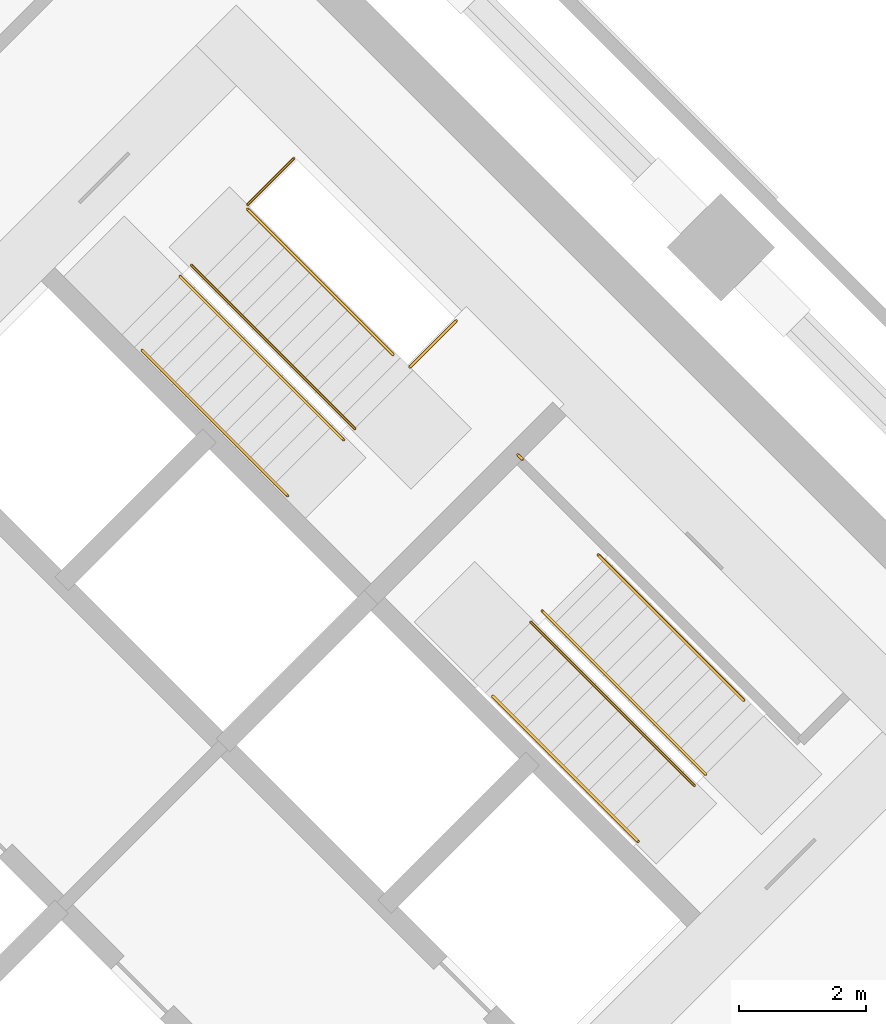
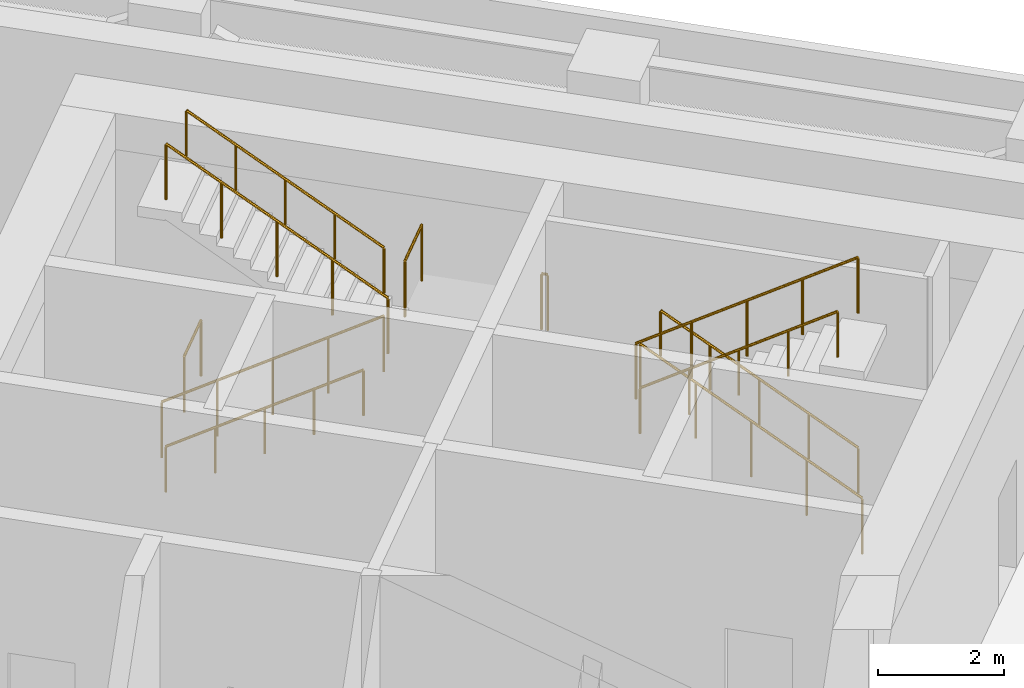
# One storey, part 8 of 8: 11 railings.
"""IFC4 building model written with IfcOpenShell, lengths in metres."""

from ifc_helpers import new_model, si_unit, direction, frame, origin, origin_2d, place, context, subcontext, project, spatial, circle, extrude, material, type_object, element, save


model = new_model("IFC4")

# Units and contexts
model_context = context("Model", 3, precision=1e-05, world=origin(), true_north=direction((0.0, 1.0)))
body_context = subcontext(model_context, "Body", "Model", "MODEL_VIEW")
ifc_project = project(units=[si_unit("LENGTHUNIT", "METRE"), si_unit("AREAUNIT", "SQUARE_METRE"), si_unit("VOLUMEUNIT", "CUBIC_METRE"), si_unit("PLANEANGLEUNIT", "RADIAN"), si_unit("MASSUNIT", "GRAM", prefix="KILO")], contexts=[model_context])

# Site, building, storey
site_placement = place(None, origin())
site = spatial("IfcSite", under=ifc_project, at=site_placement, CompositionType="ELEMENT")
building_placement = place(site_placement, origin())
building = spatial("IfcBuilding", under=site, at=building_placement, Name="Windrow Commons", CompositionType="ELEMENT")
storey_placement = place(building_placement, frame((0.0, 0.0, 72.0)))
storey = spatial("IfcBuildingStorey", under=building, at=storey_placement, Name="L19", CompositionType="ELEMENT", Elevation=72.0)

# Railings
ifc_material_1 = material(Name="Steel S355", Category="steel")
railing_type_1 = type_object("IfcRailingType", Name="Core stair guard 1100", PredefinedType="GUARDRAIL", material=ifc_material_1)
railing_1_placement = place(storey_placement, frame((85.9529, 56.2669, 0.1786)))
element("IfcRailing", 1, at=railing_1_placement, inside=storey, type_object=railing_type_1, Name="L19 ST-B1 stair guard 1", PredefinedType="GUARDRAIL", context=body_context, shape_type="SweptSolid", body=[
    extrude(circle(Radius=0.024, at=origin_2d()), frame((0.0, 0.0, 1.076), z_axis=(0.59617201, -0.5961951731, 0.5377083317), x_axis=(0.7071205174, 0.7070930447, 0.0)), (0.0, 0.0, 1.0), 4.3172),
    extrude(circle(Radius=0.021, at=origin_2d()), origin(), (0.0, 0.0, 1.0), 1.052),
    extrude(circle(Radius=0.021, at=origin_2d()), frame((0.6435, -0.6435, 0.5803)), (0.0, 0.0, 1.0), 1.052),
    extrude(circle(Radius=0.021, at=origin_2d()), frame((1.2869, -1.287, 1.1607)), (0.0, 0.0, 1.0), 1.052),
    extrude(circle(Radius=0.021, at=origin_2d()), frame((1.9304, -1.9304, 1.741)), (0.0, 0.0, 1.0), 1.052),
    extrude(circle(Radius=0.021, at=origin_2d()), frame((2.5738, -2.5739, 2.3214)), (0.0, 0.0, 1.0), 1.052),
])
railing_2_placement = place(storey_placement, frame((88.7035, 53.8698, 2.6786)))
element("IfcRailing", 2, at=railing_2_placement, inside=storey, type_object=railing_type_1, Name="L19 ST-B1 stair guard 2", PredefinedType="GUARDRAIL", context=body_context, shape_type="SweptSolid", body=[
    extrude(circle(Radius=0.024, at=origin_2d()), frame((0.0, 0.0, 1.076), z_axis=(-0.5961869402, 0.5961869402, 0.5377009064), x_axis=(-0.7071067812, -0.7071067812, 0.0)), (0.0, 0.0, 1.0), 4.3173),
    extrude(circle(Radius=0.021, at=origin_2d()), origin(), (0.0, 0.0, 1.0), 1.052),
    extrude(circle(Radius=0.021, at=origin_2d()), frame((-0.6435, 0.6435, 0.5803)), (0.0, 0.0, 1.0), 1.052),
    extrude(circle(Radius=0.021, at=origin_2d()), frame((-1.287, 1.287, 1.1607)), (0.0, 0.0, 1.0), 1.052),
    extrude(circle(Radius=0.021, at=origin_2d()), frame((-1.9304, 1.9304, 1.741)), (0.0, 0.0, 1.0), 1.052),
    extrude(circle(Radius=0.021, at=origin_2d()), frame((-2.5739, 2.5739, 2.3214)), (0.0, 0.0, 1.0), 1.052),
])
railing_3_placement = place(storey_placement, frame((87.0135, 57.3982, 0.0)))
element("IfcRailing", 3, at=railing_3_placement, inside=storey, type_object=railing_type_1, Name="L19 ST-B1 stair guard 3", PredefinedType="GUARDRAIL", context=body_context, shape_type="SweptSolid", body=[
    extrude(circle(Radius=0.024, at=origin_2d()), frame((0.0, 0.0, 1.076), z_axis=(0.7070582378, 0.7071553212, 0.0), x_axis=(-0.7071553212, 0.7070582378, 0.0)), (0.0, 0.0, 1.0), 1.03),
    extrude(circle(Radius=0.021, at=origin_2d()), origin(), (0.0, 0.0, 1.0), 1.052),
    extrude(circle(Radius=0.021, at=origin_2d()), frame((0.7283, 0.7284, 0.0)), (0.0, 0.0, 1.0), 1.052),
])
railing_4_placement = place(storey_placement, frame((89.5732, 54.8385, 2.5)))
element("IfcRailing", 4, at=railing_4_placement, inside=storey, type_object=railing_type_1, Name="L19 ST-B1 stair guard 4", PredefinedType="GUARDRAIL", context=body_context, shape_type="SweptSolid", body=[
    extrude(circle(Radius=0.024, at=origin_2d()), frame((0.0, 0.0, 1.076), z_axis=(0.7071067812, 0.7071067812, 0.0), x_axis=(-0.7071067812, 0.7071067812, 0.0)), (0.0, 0.0, 1.0), 1.0301),
    extrude(circle(Radius=0.021, at=origin_2d()), origin(), (0.0, 0.0, 1.0), 1.052),
    extrude(circle(Radius=0.021, at=origin_2d()), frame((0.7284, 0.7284, 0.0)), (0.0, 0.0, 1.0), 1.052),
])
railing_5_placement = place(storey_placement, frame((94.2296, 48.4215, 0.1786)))
element("IfcRailing", 5, at=railing_5_placement, inside=storey, type_object=railing_type_1, Name="L19 ST-B2 stair guard 1", PredefinedType="GUARDRAIL", context=body_context, shape_type="SweptSolid", body=[
    extrude(circle(Radius=0.024, at=origin_2d()), frame((0.0, 0.0, 1.076), z_axis=(-0.5961869402, 0.5961869402, 0.5377009064), x_axis=(-0.7071067812, -0.7071067812, 0.0)), (0.0, 0.0, 1.0), 4.3173),
    extrude(circle(Radius=0.021, at=origin_2d()), origin(), (0.0, 0.0, 1.0), 1.052),
    extrude(circle(Radius=0.021, at=origin_2d()), frame((-0.6435, 0.6435, 0.5803)), (0.0, 0.0, 1.0), 1.052),
    extrude(circle(Radius=0.021, at=origin_2d()), frame((-1.287, 1.2869, 1.1607)), (0.0, 0.0, 1.0), 1.052),
    extrude(circle(Radius=0.021, at=origin_2d()), frame((-1.9304, 1.9304, 1.741)), (0.0, 0.0, 1.0), 1.052),
    extrude(circle(Radius=0.021, at=origin_2d()), frame((-2.5739, 2.5739, 2.3214)), (0.0, 0.0, 1.0), 1.052),
])
railing_6_placement = place(storey_placement, frame((91.4789, 50.8186, 2.6786)))
element("IfcRailing", 6, at=railing_6_placement, inside=storey, type_object=railing_type_1, Name="L19 ST-B2 stair guard 2", PredefinedType="GUARDRAIL", context=body_context, shape_type="SweptSolid", body=[
    extrude(circle(Radius=0.024, at=origin_2d()), frame((0.0, 0.0, 1.076), z_axis=(0.5961869402, -0.5961869402, 0.5377009064), x_axis=(0.7071067812, 0.7071067812, 0.0)), (0.0, 0.0, 1.0), 4.3173),
    extrude(circle(Radius=0.021, at=origin_2d()), origin(), (0.0, 0.0, 1.0), 1.052),
    extrude(circle(Radius=0.021, at=origin_2d()), frame((0.6435, -0.6435, 0.5803)), (0.0, 0.0, 1.0), 1.052),
    extrude(circle(Radius=0.021, at=origin_2d()), frame((1.287, -1.287, 1.1607)), (0.0, 0.0, 1.0), 1.052),
    extrude(circle(Radius=0.021, at=origin_2d()), frame((1.9304, -1.9304, 1.741)), (0.0, 0.0, 1.0), 1.052),
    extrude(circle(Radius=0.021, at=origin_2d()), frame((2.5739, -2.5739, 2.3214)), (0.0, 0.0, 1.0), 1.052),
])
railing_7_placement = place(storey_placement, frame((91.3446, 53.3854, 2.5)))
element("IfcRailing", 7, at=railing_7_placement, inside=storey, type_object=railing_type_1, Name="L19 ST-B2 stair guard 3", PredefinedType="GUARDRAIL", context=body_context, shape_type="SweptSolid", body=[
    extrude(circle(Radius=0.024, at=origin_2d()), frame((0.0, 0.0, 1.076), z_axis=(-0.7076063266, 0.7066068826, 0.0), x_axis=(-0.7066068826, -0.7076063266, 0.0)), (0.0, 0.0, 1.0), 0.1001),
    extrude(circle(Radius=0.021, at=origin_2d()), origin(), (0.0, 0.0, 1.0), 1.052),
    extrude(circle(Radius=0.021, at=origin_2d()), frame((-0.0708, 0.0707, 0.0)), (0.0, 0.0, 1.0), 1.052),
])
ifc_material_2 = material(Name="Steel S355", Category="steel")
railing_type_2 = type_object("IfcRailingType", Name="Core stair handrail 900", PredefinedType="HANDRAIL", material=ifc_material_2)
railing_8_placement = place(storey_placement, frame((85.3518, 55.1001, 0.4337)))
element("IfcRailing", 8, at=railing_8_placement, inside=storey, type_object=railing_type_2, Name="L19 ST-B1 stair handrail 1", PredefinedType="HANDRAIL", context=body_context, shape_type="SweptSolid", body=[
    extrude(circle(Radius=0.024, at=origin_2d()), frame((0.0, 0.0, 0.876), z_axis=(0.5961997536, -0.5961737312, 0.5377013447), x_axis=(0.7070913491, 0.707122213, 0.0)), (0.0, 0.0, 1.0), 3.8428),
    extrude(circle(Radius=0.021, at=origin_2d()), origin(), (0.0, 0.0, 1.0), 0.852),
    extrude(circle(Radius=0.021, at=origin_2d()), frame((0.5728, -0.5727, 0.5166)), (0.0, 0.0, 1.0), 0.852),
    extrude(circle(Radius=0.021, at=origin_2d()), frame((1.1456, -1.1455, 1.0331)), (0.0, 0.0, 1.0), 0.852),
    extrude(circle(Radius=0.021, at=origin_2d()), frame((1.7183, -1.7182, 1.5497)), (0.0, 0.0, 1.0), 0.852),
    extrude(circle(Radius=0.021, at=origin_2d()), frame((2.2911, -2.291, 2.0663)), (0.0, 0.0, 1.0), 0.852),
])
railing_9_placement = place(storey_placement, frame((89.3046, 55.0365, 2.9337)))
element("IfcRailing", 9, at=railing_9_placement, inside=storey, type_object=railing_type_2, Name="L19 ST-B1 stair handrail 2", PredefinedType="HANDRAIL", context=body_context, shape_type="SweptSolid", body=[
    extrude(circle(Radius=0.024, at=origin_2d()), frame((0.0, 0.0, 0.876), z_axis=(-0.5961997536, 0.5961737312, 0.5377013447), x_axis=(-0.7070913491, -0.707122213, 0.0)), (0.0, 0.0, 1.0), 3.8428),
    extrude(circle(Radius=0.021, at=origin_2d()), origin(), (0.0, 0.0, 1.0), 0.852),
    extrude(circle(Radius=0.021, at=origin_2d()), frame((-0.5728, 0.5728, 0.5166)), (0.0, 0.0, 1.0), 0.852),
    extrude(circle(Radius=0.021, at=origin_2d()), frame((-1.1456, 1.1455, 1.0331)), (0.0, 0.0, 1.0), 0.852),
    extrude(circle(Radius=0.021, at=origin_2d()), frame((-1.7183, 1.7183, 1.5497)), (0.0, 0.0, 1.0), 0.852),
    extrude(circle(Radius=0.021, at=origin_2d()), frame((-2.2911, 2.291, 2.0663)), (0.0, 0.0, 1.0), 0.852),
])
railing_10_placement = place(storey_placement, frame((94.8306, 49.5883, 0.4337)))
element("IfcRailing", 10, at=railing_10_placement, inside=storey, type_object=railing_type_2, Name="L19 ST-B2 stair handrail 1", PredefinedType="HANDRAIL", context=body_context, shape_type="SweptSolid", body=[
    extrude(circle(Radius=0.024, at=origin_2d()), frame((0.0, 0.0, 0.876), z_axis=(-0.5961829806, 0.5961829806, 0.5377096869), x_axis=(-0.7071067812, -0.7071067812, 0.0)), (0.0, 0.0, 1.0), 3.8428),
    extrude(circle(Radius=0.021, at=origin_2d()), origin(), (0.0, 0.0, 1.0), 0.852),
    extrude(circle(Radius=0.021, at=origin_2d()), frame((-0.5728, 0.5728, 0.5166)), (0.0, 0.0, 1.0), 0.852),
    extrude(circle(Radius=0.021, at=origin_2d()), frame((-1.1455, 1.1455, 1.0331)), (0.0, 0.0, 1.0), 0.852),
    extrude(circle(Radius=0.021, at=origin_2d()), frame((-1.7183, 1.7183, 1.5497)), (0.0, 0.0, 1.0), 0.852),
    extrude(circle(Radius=0.021, at=origin_2d()), frame((-2.291, 2.291, 2.0663)), (0.0, 0.0, 1.0), 0.852),
])
railing_11_placement = place(storey_placement, frame((90.8779, 49.6519, 2.9337)))
element("IfcRailing", 11, at=railing_11_placement, inside=storey, type_object=railing_type_2, Name="L19 ST-B2 stair handrail 2", PredefinedType="HANDRAIL", context=body_context, shape_type="SweptSolid", body=[
    extrude(circle(Radius=0.024, at=origin_2d()), frame((0.0, 0.0, 0.876), z_axis=(0.5961829806, -0.5961829806, 0.5377096869), x_axis=(0.7071067812, 0.7071067812, 0.0)), (0.0, 0.0, 1.0), 3.8428),
    extrude(circle(Radius=0.021, at=origin_2d()), origin(), (0.0, 0.0, 1.0), 0.852),
    extrude(circle(Radius=0.021, at=origin_2d()), frame((0.5727, -0.5727, 0.5166)), (0.0, 0.0, 1.0), 0.852),
    extrude(circle(Radius=0.021, at=origin_2d()), frame((1.1455, -1.1455, 1.0331)), (0.0, 0.0, 1.0), 0.852),
    extrude(circle(Radius=0.021, at=origin_2d()), frame((1.7182, -1.7182, 1.5497)), (0.0, 0.0, 1.0), 0.852),
    extrude(circle(Radius=0.021, at=origin_2d()), frame((2.291, -2.291, 2.0663)), (0.0, 0.0, 1.0), 0.852),
])

save(model, "model.ifc")
